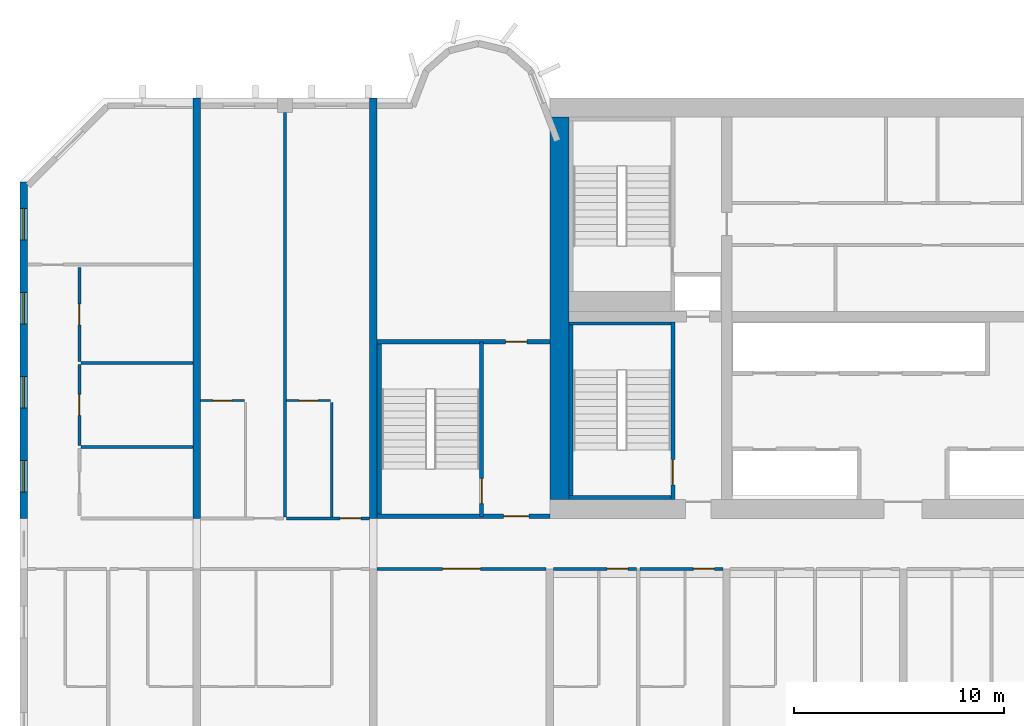
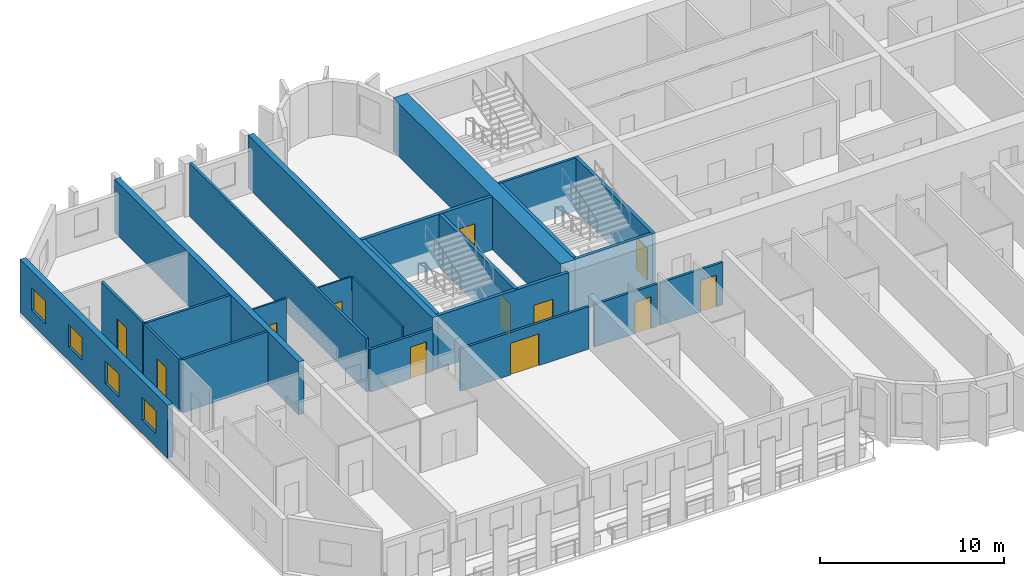
# One storey, part 4 of 15: 24 walls, 12 doors, 4 windows, 16 openings.
"""IFC4 building model written with IfcOpenShell, lengths in metres."""

from ifc_helpers import new_model, si_unit, direction, frame, frame_2d, origin, place, context, subcontext, project, spatial, rectangle, extrude, source, transform, mapped, material, layer, layer_set, type_object, element, fill, save


model = new_model("IFC4")

# Units and contexts
model_context = context("Model", 3, precision=1e-05, world=origin(), true_north=direction((0.0, 1.0)))
body_context = subcontext(model_context, "Body", "Model", "MODEL_VIEW")
ifc_project = project(units=[si_unit("LENGTHUNIT", "METRE"), si_unit("AREAUNIT", "SQUARE_METRE"), si_unit("VOLUMEUNIT", "CUBIC_METRE"), si_unit("PLANEANGLEUNIT", "RADIAN"), si_unit("MASSUNIT", "GRAM", prefix="KILO")], contexts=[model_context])

# Site, building, storey
site_placement = place(None, origin())
site = spatial("IfcSite", under=ifc_project, at=site_placement, CompositionType="ELEMENT")
building_placement = place(site_placement, origin())
building = spatial("IfcBuilding", under=site, at=building_placement, Name="Vanashikhar Sky Hotel", CompositionType="ELEMENT")
storey_placement = place(building_placement, frame((0.0, 0.0, 91.39990234375)))
storey = spatial("IfcBuildingStorey", under=building, at=storey_placement, Name="L21", CompositionType="ELEMENT", Elevation=91.39990234375)

# Wall
ifc_material_1 = material(Name="Concrete M70", Category="concrete")
ifc_layer_1 = layer(ifc_material_1, 0.89990234375)
ifc_layer_set_1 = layer_set([ifc_layer_1], Name="RC core shell wall 900 Concrete M70")
wall_type_1 = type_object("IfcWallType", Name="RC core shell wall 900 Concrete M70", PredefinedType="SHEAR", material=ifc_layer_set_1)
shared_shape_1 = source(origin(), body_context, "Body", "SweptSolid", [
    extrude(rectangle(XDim=18.2001953125, YDim=0.89990234375, at=frame_2d((9.10009765625, 0.0))), origin(), (0.0, 0.0, 1.0), 3.52001953125),
])
wall_1_placement = place(storey_placement, frame((25.64990234375, 22.89990234375, 0.0), z_axis=(0.0, 0.0, 1.0), x_axis=(0.0, 1.0, 0.0)))
element("IfcWall", 1, at=wall_1_placement, inside=storey, type_object=wall_type_1, Name="KW-L21-KW", PredefinedType="SHEAR", context=body_context, shape_type="MappedRepresentation", body=[
    mapped(shared_shape_1, transform((0.0, 0.0, 0.0), scale=1.0)),
])

# Wall, openings, windows
ifc_layer_2 = layer(ifc_material_1, 0.35009765625)
ifc_layer_set_2 = layer_set([ifc_layer_2], Name="RC shear wall 350 Concrete M70")
wall_type_2 = type_object("IfcWallType", Name="RC shear wall 350 Concrete M70", PredefinedType="SHEAR", material=ifc_layer_set_2)
shared_shape_2 = source(origin(), body_context, "Body", "SweptSolid", [
    extrude(rectangle(XDim=16.0, YDim=0.35009765625, at=frame_2d((8.0, 0.0))), origin(), (0.0, 0.0, 1.0), 3.52001953125),
])
wall_2_placement = place(storey_placement, frame((0.175048828125, 22.0, 0.0), z_axis=(0.0, 0.0, 1.0), x_axis=(0.0, 1.0, 0.0)))
wall_2 = element("IfcWall", 2, at=wall_2_placement, inside=storey, type_object=wall_type_2, Name="CW-L21-XW01-2", PredefinedType="SHEAR", context=body_context, shape_type="MappedRepresentation", body=[
    mapped(shared_shape_2, transform((0.0, 0.0, 0.0), scale=1.0)),
])
shared_shape_3 = source(origin(), body_context, "Body", "SweptSolid", [
    extrude(rectangle(XDim=1.5, YDim=1.5, at=frame_2d((0.75, 0.75))), frame((0.0, 0.18505859375, 0.0), z_axis=(0.0, -1.0, 0.0), x_axis=(1.0, 0.0, 0.0)), (0.0, 0.0, 1.0), 0.3701171875),
])
opening_1_placement = place(wall_2_placement, frame((1.25, 0.0, 0.89990234375)))
opening_1 = element("IfcOpeningElement", 3, at=opening_1_placement, cuts=wall_2, Name="Opening WN-1", PredefinedType="OPENING", context=body_context, shape_type="MappedRepresentation", body=[
    mapped(shared_shape_3, transform((0.0, 0.0, 0.0), scale=1.0)),
])
opening_2_placement = place(wall_2_placement, frame((5.25, 0.0, 0.89990234375)))
opening_2 = element("IfcOpeningElement", 4, at=opening_2_placement, cuts=wall_2, Name="Opening WN-1", PredefinedType="OPENING", context=body_context, shape_type="MappedRepresentation", body=[
    mapped(shared_shape_3, transform((0.0, 0.0, 0.0), scale=1.0)),
])
opening_3_placement = place(wall_2_placement, frame((9.25, 0.0, 0.89990234375)))
opening_3 = element("IfcOpeningElement", 5, at=opening_3_placement, cuts=wall_2, Name="Opening WN-1", PredefinedType="OPENING", context=body_context, shape_type="MappedRepresentation", body=[
    mapped(shared_shape_3, transform((0.0, 0.0, 0.0), scale=1.0)),
])
opening_4_placement = place(wall_2_placement, frame((13.25, 0.0, 0.89990234375)))
opening_4 = element("IfcOpeningElement", 6, at=opening_4_placement, cuts=wall_2, Name="Opening WN-1", PredefinedType="OPENING", context=body_context, shape_type="MappedRepresentation", body=[
    mapped(shared_shape_3, transform((0.0, 0.0, 0.0), scale=1.0)),
])
ifc_material_2 = material(Name="Glass", Category="glass")
window_type = type_object("IfcWindowType", Name="Window 1500 x 1500", PartitioningType="SINGLE_PANEL", PredefinedType="WINDOW", material=ifc_material_2)
shared_shape_4 = source(origin(), body_context, "Body", "SweptSolid", [
    extrude(rectangle(XDim=1.5, YDim=1.5, at=frame_2d((0.75, 0.75))), frame((0.0, 0.030029296875, 0.0), z_axis=(0.0, -1.0, 0.0), x_axis=(1.0, 0.0, 0.0)), (0.0, 0.0, 1.0), 0.06005859375),
])
window_1_placement = place(opening_1_placement, origin())
window_1 = element("IfcWindow", 7, at=window_1_placement, inside=storey, type_object=window_type, Name="Window WN-1", OverallHeight=1.5, OverallWidth=1.5, PartitioningType="SINGLE_PANEL", PredefinedType="WINDOW", context=body_context, shape_type="MappedRepresentation", body=[
    mapped(shared_shape_4, transform((0.0, 0.0, 0.0), scale=1.0)),
])
fill(opening_1, window_1)
window_2_placement = place(opening_2_placement, origin())
window_2 = element("IfcWindow", 8, at=window_2_placement, inside=storey, type_object=window_type, Name="Window WN-1", OverallHeight=1.5, OverallWidth=1.5, PartitioningType="SINGLE_PANEL", PredefinedType="WINDOW", context=body_context, shape_type="MappedRepresentation", body=[
    mapped(shared_shape_4, transform((0.0, 0.0, 0.0), scale=1.0)),
])
fill(opening_2, window_2)
window_3_placement = place(opening_3_placement, origin())
window_3 = element("IfcWindow", 9, at=window_3_placement, inside=storey, type_object=window_type, Name="Window WN-1", OverallHeight=1.5, OverallWidth=1.5, PartitioningType="SINGLE_PANEL", PredefinedType="WINDOW", context=body_context, shape_type="MappedRepresentation", body=[
    mapped(shared_shape_4, transform((0.0, 0.0, 0.0), scale=1.0)),
])
fill(opening_3, window_3)
window_4_placement = place(opening_4_placement, origin())
window_4 = element("IfcWindow", 10, at=window_4_placement, inside=storey, type_object=window_type, Name="Window WN-1", OverallHeight=1.5, OverallWidth=1.5, PartitioningType="SINGLE_PANEL", PredefinedType="WINDOW", context=body_context, shape_type="MappedRepresentation", body=[
    mapped(shared_shape_4, transform((0.0, 0.0, 0.0), scale=1.0)),
])
fill(opening_4, window_4)

# Walls
shared_shape_5 = source(origin(), body_context, "Body", "SweptSolid", [
    extrude(rectangle(XDim=20.0, YDim=0.35009765625, at=frame_2d((10.0, 0.0))), origin(), (0.0, 0.0, 1.0), 3.52001953125),
])
for number, where, z_axis, x_axis, name in (
    (11, (8.39990234375, 22.0, 0.0), (0.0, 0.0, 1.0), (0.0, 1.0, 0.0), "CW-L21-XW02-2"),
    (12, (16.800048828125, 22.0, 0.0), (0.0, 0.0, 1.0), (0.0, 1.0, 0.0), "CW-L21-XW03-2"),
):
    element("IfcWall", number, at=place(storey_placement, frame(where, z_axis=z_axis, x_axis=x_axis)), inside=storey, type_object=wall_type_2, Name=name, PredefinedType="SHEAR", context=body_context, shape_type="MappedRepresentation", body=[
        mapped(shared_shape_5, transform((0.0, 0.0, 0.0), scale=1.0)),
    ])

# Wall, opening, door
ifc_material_3 = material(Name="Concrete M50", Category="concrete")
ifc_layer_3 = layer(ifc_material_3, 0.199951171875)
ifc_layer_set_3 = layer_set([ifc_layer_3], Name="Stair wall 200")
wall_type_3 = type_object("IfcWallType", Name="Stair wall 200", PredefinedType="SOLIDWALL", material=ifc_layer_set_3)
shared_shape_6 = source(origin(), body_context, "Body", "SweptSolid", [
    extrude(rectangle(XDim=8.2998046875, YDim=0.199951171875, at=frame_2d((4.14990234375, 0.0))), origin(), (0.0, 0.0, 1.0), 3.52001953125),
])
wall_3_placement = place(storey_placement, frame((21.949951171875, 22.10009765625, 0.0), z_axis=(0.0, 0.0, 1.0), x_axis=(0.0, 1.0, 0.0)))
wall_3 = element("IfcWall", 13, at=wall_3_placement, inside=storey, type_object=wall_type_3, Name="Stair wall 200", PredefinedType="SOLIDWALL", context=body_context, shape_type="MappedRepresentation", body=[
    mapped(shared_shape_6, transform((0.0, 0.0, 0.0), scale=1.0)),
])
shared_shape_7 = source(origin(), body_context, "Body", "SweptSolid", [
    extrude(rectangle(XDim=1.199951171875, YDim=2.10009765625, at=frame_2d((0.60009765625, 1.050048828125))), frame((0.0, 0.10986328125, 0.0), z_axis=(0.0, -1.0, 0.0), x_axis=(1.0, 0.0, 0.0)), (0.0, 0.0, 1.0), 0.219970703125),
])
opening_5_placement = place(wall_3_placement, frame((0.60009765625, 0.0, 0.0)))
opening_5 = element("IfcOpeningElement", 14, at=opening_5_placement, cuts=wall_3, Name="Opening DC-1", PredefinedType="OPENING", context=body_context, shape_type="MappedRepresentation", body=[
    mapped(shared_shape_7, transform((0.0, 0.0, 0.0), scale=1.0)),
])
ifc_material_4 = material(Name="Steel", Category="steel")
door_type_1 = type_object("IfcDoorType", Name="Stair door 1200 FD120", OperationType="NOTDEFINED", PredefinedType="DOOR", material=ifc_material_4)
shared_shape_8 = source(origin(), body_context, "Body", "SweptSolid", [
    extrude(rectangle(XDim=1.199951171875, YDim=2.10009765625, at=frame_2d((0.60009765625, 1.050048828125))), frame((0.0, 0.02490234375, 0.0), z_axis=(0.0, -1.0, 0.0), x_axis=(1.0, 0.0, 0.0)), (0.0, 0.0, 1.0), 0.050048828125),
])
door_1_placement = place(opening_5_placement, origin())
door_1 = element("IfcDoor", 15, at=door_1_placement, inside=storey, type_object=door_type_1, Name="Stair door 1200 FD120", OperationType="SINGLE_SWING_LEFT", OverallHeight=2.10009765625, OverallWidth=1.199951171875, PredefinedType="DOOR", context=body_context, shape_type="MappedRepresentation", body=[
    mapped(shared_shape_8, transform((0.0, 0.0, 0.0), scale=1.0)),
])
fill(opening_5, door_1)

shared_shape_9 = source(origin(), body_context, "Body", "SweptSolid", [
    extrude(rectangle(XDim=8.4501953125, YDim=0.199951171875, at=frame_2d((4.22509765625, 0.0))), origin(), (0.0, 0.0, 1.0), 3.52001953125),
])
wall_4_placement = place(storey_placement, frame((31.050048828125, 22.89990234375, 0.0), z_axis=(0.0, 0.0, 1.0), x_axis=(0.0, 1.0, 0.0)))
wall_4 = element("IfcWall", 16, at=wall_4_placement, inside=storey, type_object=wall_type_3, Name="Stair wall 200", PredefinedType="SOLIDWALL", context=body_context, shape_type="MappedRepresentation", body=[
    mapped(shared_shape_9, transform((0.0, 0.0, 0.0), scale=1.0)),
])
opening_6_placement = place(wall_4_placement, frame((0.699951171875, 0.0, 0.0)))
opening_6 = element("IfcOpeningElement", 17, at=opening_6_placement, cuts=wall_4, Name="Opening DC-1", PredefinedType="OPENING", context=body_context, shape_type="MappedRepresentation", body=[
    mapped(shared_shape_7, transform((0.0, 0.0, 0.0), scale=1.0)),
])
door_2_placement = place(opening_6_placement, origin())
door_2 = element("IfcDoor", 18, at=door_2_placement, inside=storey, type_object=door_type_1, Name="Stair door 1200 FD120", OperationType="SINGLE_SWING_RIGHT", OverallHeight=2.10009765625, OverallWidth=1.199951171875, PredefinedType="DOOR", context=body_context, shape_type="MappedRepresentation", body=[
    mapped(shared_shape_8, transform((0.0, 0.0, 0.0), scale=1.0)),
])
fill(opening_6, door_2)

shared_shape_10 = source(origin(), body_context, "Body", "SweptSolid", [
    extrude(rectangle(XDim=8.224853515625, YDim=0.199951171875, at=frame_2d((4.1123046875, 0.0))), origin(), (0.0, 0.0, 1.0), 3.52001953125),
])
wall_5_placement = place(storey_placement, frame((16.97509765625, 22.10009765625, 0.0), z_axis=(0.0, 0.0, 1.0), x_axis=(1.0, 0.0, 0.0)))
wall_5 = element("IfcWall", 19, at=wall_5_placement, inside=storey, type_object=wall_type_3, Name="Stair wall 200", PredefinedType="SOLIDWALL", context=body_context, shape_type="MappedRepresentation", body=[
    mapped(shared_shape_10, transform((0.0, 0.0, 0.0), scale=1.0)),
])
opening_7_placement = place(wall_5_placement, frame((6.02490234375, 0.0, 0.0)))
opening_7 = element("IfcOpeningElement", 20, at=opening_7_placement, cuts=wall_5, Name="Opening DC-2", PredefinedType="OPENING", context=body_context, shape_type="MappedRepresentation", body=[
    mapped(shared_shape_7, transform((0.0, 0.0, 0.0), scale=1.0)),
])
door_type_2 = type_object("IfcDoorType", Name="Firefighting lobby door 1200 FD120", OperationType="NOTDEFINED", PredefinedType="DOOR", material=ifc_material_4)
door_3_placement = place(opening_7_placement, origin())
door_3 = element("IfcDoor", 21, at=door_3_placement, inside=storey, type_object=door_type_2, Name="Firefighting lobby door 1200 FD120", OperationType="SINGLE_SWING_RIGHT", OverallHeight=2.10009765625, OverallWidth=1.199951171875, PredefinedType="DOOR", context=body_context, shape_type="MappedRepresentation", body=[
    mapped(shared_shape_8, transform((0.0, 0.0, 0.0), scale=1.0)),
])
fill(opening_7, door_3)

wall_6_placement = place(storey_placement, frame((16.97509765625, 30.39990234375, 0.0), z_axis=(0.0, 0.0, 1.0), x_axis=(1.0, 0.0, 0.0)))
wall_6 = element("IfcWall", 22, at=wall_6_placement, inside=storey, type_object=wall_type_3, Name="Stair wall 200", PredefinedType="SOLIDWALL", context=body_context, shape_type="MappedRepresentation", body=[
    mapped(shared_shape_10, transform((0.0, 0.0, 0.0), scale=1.0)),
])
shared_shape_11 = source(origin(), body_context, "Body", "SweptSolid", [
    extrude(rectangle(XDim=1.0, YDim=2.10009765625, at=frame_2d((0.5, 1.050048828125))), frame((0.0, 0.10986328125, 0.0), z_axis=(0.0, -1.0, 0.0), x_axis=(1.0, 0.0, 0.0)), (0.0, 0.0, 1.0), 0.219970703125),
])
opening_8_placement = place(wall_6_placement, frame((6.125, 0.0, 0.0)))
opening_8 = element("IfcOpeningElement", 23, at=opening_8_placement, cuts=wall_6, Name="Opening DC-6", PredefinedType="OPENING", context=body_context, shape_type="MappedRepresentation", body=[
    mapped(shared_shape_11, transform((0.0, 0.0, 0.0), scale=1.0)),
])
door_type_3 = type_object("IfcDoorType", Name="Pocket door 1000 FD60", OperationType="NOTDEFINED", PredefinedType="DOOR", material=ifc_material_4)
shared_shape_12 = source(origin(), body_context, "Body", "SweptSolid", [
    extrude(rectangle(XDim=1.0, YDim=2.10009765625, at=frame_2d((0.5, 1.050048828125))), frame((0.0, 0.02490234375, 0.0), z_axis=(0.0, -1.0, 0.0), x_axis=(1.0, 0.0, 0.0)), (0.0, 0.0, 1.0), 0.050048828125),
])
door_4_placement = place(opening_8_placement, origin())
door_4 = element("IfcDoor", 24, at=door_4_placement, inside=storey, type_object=door_type_3, Name="Pocket door 1000 FD60", OperationType="SINGLE_SWING_RIGHT", OverallHeight=2.10009765625, OverallWidth=1.0, PredefinedType="DOOR", context=body_context, shape_type="MappedRepresentation", body=[
    mapped(shared_shape_12, transform((0.0, 0.0, 0.0), scale=1.0)),
])
fill(opening_8, door_4)

# Walls
ifc_layer_4 = layer(ifc_material_3, 0.199951171875)
ifc_layer_set_4 = layer_set([ifc_layer_4], Name="Stair infill wall 200")
wall_type_4 = type_object("IfcWallType", Name="Stair infill wall 200", PredefinedType="SOLIDWALL", material=ifc_layer_set_4)
shared_shape_13 = source(origin(), body_context, "Body", "SweptSolid", [
    extrude(rectangle(XDim=4.849853515625, YDim=0.199951171875, at=frame_2d((2.4248046875, 0.0))), origin(), (0.0, 0.0, 1.0), 3.52001953125),
])
wall_7_placement = place(storey_placement, frame((26.10009765625, 23.0, 0.0), z_axis=(0.0, 0.0, 1.0), x_axis=(1.0, 0.0, 0.0)))
element("IfcWall", 25, at=wall_7_placement, inside=storey, type_object=wall_type_4, Name="Stair infill wall 200", PredefinedType="SOLIDWALL", context=body_context, shape_type="MappedRepresentation", body=[
    mapped(shared_shape_13, transform((0.0, 0.0, 0.0), scale=1.0)),
])
ifc_layer_5 = layer(ifc_material_3, 0.14990234375)
ifc_layer_set_5 = layer_set([ifc_layer_5], Name="Stair infill wall 150")
wall_type_5 = type_object("IfcWallType", Name="Stair infill wall 150", PredefinedType="SOLIDWALL", material=ifc_layer_set_5)
shared_shape_14 = source(origin(), body_context, "Body", "SweptSolid", [
    extrude(rectangle(XDim=4.849853515625, YDim=0.14990234375, at=frame_2d((2.4248046875, 0.0))), origin(), (0.0, 0.0, 1.0), 3.52001953125),
])
wall_8_placement = place(storey_placement, frame((26.10009765625, 31.27490234375, 0.0), z_axis=(0.0, 0.0, 1.0), x_axis=(1.0, 0.0, 0.0)))
element("IfcWall", 26, at=wall_8_placement, inside=storey, type_object=wall_type_5, Name="Stair infill wall 150", PredefinedType="SOLIDWALL", context=body_context, shape_type="MappedRepresentation", body=[
    mapped(shared_shape_14, transform((0.0, 0.0, 0.0), scale=1.0)),
])
shared_shape_15 = source(origin(), body_context, "Body", "SweptSolid", [
    extrude(rectangle(XDim=8.099853515625, YDim=0.199951171875, at=frame_2d((4.0498046875, 0.0))), origin(), (0.0, 0.0, 1.0), 3.52001953125),
])
wall_9_placement = place(storey_placement, frame((26.199951171875, 23.10009765625, 0.0), z_axis=(0.0, 0.0, 1.0), x_axis=(0.0, 1.0, 0.0)))
element("IfcWall", 27, at=wall_9_placement, inside=storey, type_object=wall_type_4, Name="Stair infill wall 200", PredefinedType="SOLIDWALL", context=body_context, shape_type="MappedRepresentation", body=[
    mapped(shared_shape_15, transform((0.0, 0.0, 0.0), scale=1.0)),
])
ifc_layer_6 = layer(ifc_material_3, 0.22509765625)
ifc_layer_set_6 = layer_set([ifc_layer_6], Name="Stair infill wall 225")
wall_type_6 = type_object("IfcWallType", Name="Stair infill wall 225", PredefinedType="SOLIDWALL", material=ifc_layer_set_6)
shared_shape_16 = source(origin(), body_context, "Body", "SweptSolid", [
    extrude(rectangle(XDim=8.10009765625, YDim=0.22509765625, at=frame_2d((4.050048828125, 0.0))), origin(), (0.0, 0.0, 1.0), 3.52001953125),
])
wall_10_placement = place(storey_placement, frame((17.0869140625, 22.199951171875, 0.0), z_axis=(0.0, 0.0, 1.0), x_axis=(0.0, 1.0, 0.0)))
element("IfcWall", 28, at=wall_10_placement, inside=storey, type_object=wall_type_6, Name="Stair infill wall 225", PredefinedType="SOLIDWALL", context=body_context, shape_type="MappedRepresentation", body=[
    mapped(shared_shape_16, transform((0.0, 0.0, 0.0), scale=1.0)),
])

# Wall, opening, door
ifc_material_5 = material(Name="Gypsum plasterboard partition")
ifc_layer_7 = layer(ifc_material_5, 0.14990234375)
ifc_layer_set_7 = layer_set([ifc_layer_7], Name="Corridor and demising partition 150")
wall_type_7 = type_object("IfcWallType", Name="Corridor and demising partition 150", PredefinedType="PARTITIONING", material=ifc_layer_set_7)
shared_shape_17 = source(origin(), body_context, "Body", "SweptSolid", [
    extrude(rectangle(XDim=3.849853515625, YDim=0.14990234375, at=frame_2d((1.9248046875, 0.0))), origin(), (0.0, 0.0, 1.0), 3.52001953125),
])
wall_11_placement = place(storey_placement, frame((2.824951171875, 25.47509765625, 0.0), z_axis=(0.0, 0.0, 1.0), x_axis=(0.0, 1.0, 0.0)))
wall_11 = element("IfcWall", 29, at=wall_11_placement, inside=storey, type_object=wall_type_7, Name="W-L21-PW076", PredefinedType="PARTITIONING", context=body_context, shape_type="MappedRepresentation", body=[
    mapped(shared_shape_17, transform((0.0, 0.0, 0.0), scale=1.0)),
])
shared_shape_18 = source(origin(), body_context, "Body", "SweptSolid", [
    extrude(rectangle(XDim=1.0, YDim=2.10009765625, at=frame_2d((0.5, 1.050048828125))), frame((0.0, 0.0849609375, 0.0), z_axis=(0.0, -1.0, 0.0), x_axis=(1.0, 0.0, 0.0)), (0.0, 0.0, 1.0), 0.169921875),
])
opening_9_placement = place(wall_11_placement, frame((1.425048828125, 0.0, 0.0)))
opening_9 = element("IfcOpeningElement", 30, at=opening_9_placement, cuts=wall_11, Name="Opening D-01", PredefinedType="OPENING", context=body_context, shape_type="MappedRepresentation", body=[
    mapped(shared_shape_18, transform((0.0, 0.0, 0.0), scale=1.0)),
])
ifc_material_6 = material(Name="Timber fire door", Category="wood")
door_type_4 = type_object("IfcDoorType", Name="Guest entry door 1000 FD30S", OperationType="NOTDEFINED", PredefinedType="DOOR", material=ifc_material_6)
door_5_placement = place(opening_9_placement, origin())
door_5 = element("IfcDoor", 31, at=door_5_placement, inside=storey, type_object=door_type_4, Name="D-L21-043", OperationType="SINGLE_SWING_LEFT", OverallHeight=2.10009765625, OverallWidth=1.0, PredefinedType="DOOR", context=body_context, shape_type="MappedRepresentation", body=[
    mapped(shared_shape_12, transform((0.0, 0.0, 0.0), scale=1.0)),
])
fill(opening_9, door_5)

shared_shape_19 = source(origin(), body_context, "Body", "SweptSolid", [
    extrude(rectangle(XDim=4.449951171875, YDim=0.14990234375, at=frame_2d((2.22509765625, 0.0))), origin(), (0.0, 0.0, 1.0), 3.52001953125),
])
wall_12_placement = place(storey_placement, frame((2.824951171875, 29.47509765625, 0.0), z_axis=(0.0, 0.0, 1.0), x_axis=(0.0, 1.0, 0.0)))
wall_12 = element("IfcWall", 32, at=wall_12_placement, inside=storey, type_object=wall_type_7, Name="W-L21-PW078", PredefinedType="PARTITIONING", context=body_context, shape_type="MappedRepresentation", body=[
    mapped(shared_shape_19, transform((0.0, 0.0, 0.0), scale=1.0)),
])
opening_10_placement = place(wall_12_placement, frame((1.72509765625, 0.0, 0.0)))
opening_10 = element("IfcOpeningElement", 33, at=opening_10_placement, cuts=wall_12, Name="Opening D-01", PredefinedType="OPENING", context=body_context, shape_type="MappedRepresentation", body=[
    mapped(shared_shape_18, transform((0.0, 0.0, 0.0), scale=1.0)),
])
door_6_placement = place(opening_10_placement, origin())
door_6 = element("IfcDoor", 34, at=door_6_placement, inside=storey, type_object=door_type_4, Name="D-L21-044", OperationType="SINGLE_SWING_LEFT", OverallHeight=2.10009765625, OverallWidth=1.0, PredefinedType="DOOR", context=body_context, shape_type="MappedRepresentation", body=[
    mapped(shared_shape_12, transform((0.0, 0.0, 0.0), scale=1.0)),
])
fill(opening_10, door_6)

# Wall
ifc_layer_8 = layer(ifc_material_5, 0.10009765625)
ifc_layer_set_8 = layer_set([ifc_layer_8], Name="Wet room partition 100")
wall_type_8 = type_object("IfcWallType", Name="Wet room partition 100", PredefinedType="PARTITIONING", material=ifc_layer_set_8)
shared_shape_20 = source(origin(), body_context, "Body", "SweptSolid", [
    extrude(rectangle(XDim=5.449951171875, YDim=0.10009765625, at=frame_2d((2.72509765625, 0.0))), origin(), (0.0, 0.0, 1.0), 3.52001953125),
])
wall_13_placement = place(storey_placement, frame((14.824951171875, 22.074951171875, 0.0), z_axis=(0.0, 0.0, 1.0), x_axis=(0.0, 1.0, 0.0)))
element("IfcWall", 35, at=wall_13_placement, inside=storey, type_object=wall_type_8, Name="W-L21-PW083", PredefinedType="PARTITIONING", context=body_context, shape_type="MappedRepresentation", body=[
    mapped(shared_shape_20, transform((0.0, 0.0, 0.0), scale=1.0)),
])

# Wall, opening, door
shared_shape_21 = source(origin(), body_context, "Body", "SweptSolid", [
    extrude(rectangle(XDim=2.10009765625, YDim=0.10009765625, at=frame_2d((1.050048828125, 0.0))), origin(), (0.0, 0.0, 1.0), 3.52001953125),
])
wall_14_placement = place(storey_placement, frame((8.574951171875, 27.60009765625, 0.0), z_axis=(0.0, 0.0, 1.0), x_axis=(1.0, 0.0, 0.0)))
wall_14 = element("IfcWall", 36, at=wall_14_placement, inside=storey, type_object=wall_type_8, Name="W-L21-PW081", PredefinedType="PARTITIONING", context=body_context, shape_type="MappedRepresentation", body=[
    mapped(shared_shape_21, transform((0.0, 0.0, 0.0), scale=1.0)),
])
shared_shape_22 = source(origin(), body_context, "Body", "SweptSolid", [
    extrude(rectangle(XDim=0.89990234375, YDim=2.10009765625, at=frame_2d((0.449951171875, 1.050048828125))), frame((0.0, 0.06005859375, 0.0), z_axis=(0.0, -1.0, 0.0), x_axis=(1.0, 0.0, 0.0)), (0.0, 0.0, 1.0), 0.1201171875),
])
opening_11_placement = place(wall_14_placement, frame((0.60009765625, 0.0, 0.0)))
opening_11 = element("IfcOpeningElement", 37, at=opening_11_placement, cuts=wall_14, Name="Opening D-02", PredefinedType="OPENING", context=body_context, shape_type="MappedRepresentation", body=[
    mapped(shared_shape_22, transform((0.0, 0.0, 0.0), scale=1.0)),
])
ifc_material_7 = material(Name="Timber door", Category="wood")
door_type_5 = type_object("IfcDoorType", Name="Internal door 900", OperationType="NOTDEFINED", PredefinedType="DOOR", material=ifc_material_7)
shared_shape_23 = source(origin(), body_context, "Body", "SweptSolid", [
    extrude(rectangle(XDim=0.89990234375, YDim=2.10009765625, at=frame_2d((0.449951171875, 1.050048828125))), frame((0.0, 0.02490234375, 0.0), z_axis=(0.0, -1.0, 0.0), x_axis=(1.0, 0.0, 0.0)), (0.0, 0.0, 1.0), 0.050048828125),
])
door_7_placement = place(opening_11_placement, origin())
door_7 = element("IfcDoor", 38, at=door_7_placement, inside=storey, type_object=door_type_5, Name="D-L21-046", OperationType="SINGLE_SWING_RIGHT", OverallHeight=2.10009765625, OverallWidth=0.89990234375, PredefinedType="DOOR", context=body_context, shape_type="MappedRepresentation", body=[
    mapped(shared_shape_23, transform((0.0, 0.0, 0.0), scale=1.0)),
])
fill(opening_11, door_7)

shared_shape_24 = source(origin(), body_context, "Body", "SweptSolid", [
    extrude(rectangle(XDim=8.0498046875, YDim=0.14990234375, at=frame_2d((4.02490234375, 0.0))), origin(), (0.0, 0.0, 1.0), 2.820068359375),
])
wall_15_placement = place(storey_placement, frame((16.97509765625, 19.60009765625, 0.0), z_axis=(0.0, 0.0, 1.0), x_axis=(1.0, 0.0, 0.0)))
wall_15 = element("IfcWall", 39, at=wall_15_placement, inside=storey, type_object=wall_type_7, Name="W-L21-PW013", PredefinedType="PARTITIONING", context=body_context, shape_type="MappedRepresentation", body=[
    mapped(shared_shape_24, transform((0.0, 0.0, 0.0), scale=1.0)),
])
shared_shape_25 = source(origin(), body_context, "Body", "SweptSolid", [
    extrude(rectangle(XDim=1.800048828125, YDim=2.10009765625, at=frame_2d((0.89990234375, 1.050048828125))), frame((0.0, 0.0849609375, 0.0), z_axis=(0.0, -1.0, 0.0), x_axis=(1.0, 0.0, 0.0)), (0.0, 0.0, 1.0), 0.169921875),
])
opening_12_placement = place(wall_15_placement, frame((3.125, 0.0, 0.0)))
opening_12 = element("IfcOpeningElement", 40, at=opening_12_placement, cuts=wall_15, Name="Opening D-03", PredefinedType="OPENING", context=body_context, shape_type="MappedRepresentation", body=[
    mapped(shared_shape_25, transform((0.0, 0.0, 0.0), scale=1.0)),
])
door_type_6 = type_object("IfcDoorType", Name="Double leaf door 1800 FD30S", OperationType="NOTDEFINED", PredefinedType="DOOR", material=ifc_material_6)
shared_shape_26 = source(origin(), body_context, "Body", "SweptSolid", [
    extrude(rectangle(XDim=1.800048828125, YDim=2.10009765625, at=frame_2d((0.89990234375, 1.050048828125))), frame((0.0, 0.02490234375, 0.0), z_axis=(0.0, -1.0, 0.0), x_axis=(1.0, 0.0, 0.0)), (0.0, 0.0, 1.0), 0.050048828125),
])
door_8_placement = place(opening_12_placement, origin())
door_8 = element("IfcDoor", 41, at=door_8_placement, inside=storey, type_object=door_type_6, Name="D-L21-008", OperationType="DOUBLE_DOOR_SINGLE_SWING", OverallHeight=2.10009765625, OverallWidth=1.800048828125, PredefinedType="DOOR", context=body_context, shape_type="MappedRepresentation", body=[
    mapped(shared_shape_26, transform((0.0, 0.0, 0.0), scale=1.0)),
])
fill(opening_12, door_8)

shared_shape_27 = source(origin(), body_context, "Body", "SweptSolid", [
    extrude(rectangle(XDim=3.949951171875, YDim=0.14990234375, at=frame_2d((1.97509765625, 0.0))), origin(), (0.0, 0.0, 1.0), 2.820068359375),
])
wall_16_placement = place(storey_placement, frame((25.375, 19.60009765625, 0.0), z_axis=(0.0, 0.0, 1.0), x_axis=(1.0, 0.0, 0.0)))
wall_16 = element("IfcWall", 42, at=wall_16_placement, inside=storey, type_object=wall_type_7, Name="W-L21-PW016", PredefinedType="PARTITIONING", context=body_context, shape_type="MappedRepresentation", body=[
    mapped(shared_shape_27, transform((0.0, 0.0, 0.0), scale=1.0)),
])
opening_13_placement = place(wall_16_placement, frame((2.550048828125, 0.0, 0.0)))
opening_13 = element("IfcOpeningElement", 43, at=opening_13_placement, cuts=wall_16, Name="Opening D-01", PredefinedType="OPENING", context=body_context, shape_type="MappedRepresentation", body=[
    mapped(shared_shape_18, transform((0.0, 0.0, 0.0), scale=1.0)),
])
door_9_placement = place(opening_13_placement, origin())
door_9 = element("IfcDoor", 44, at=door_9_placement, inside=storey, type_object=door_type_4, Name="D-L21-010", OperationType="SINGLE_SWING_RIGHT", OverallHeight=2.10009765625, OverallWidth=1.0, PredefinedType="DOOR", context=body_context, shape_type="MappedRepresentation", body=[
    mapped(shared_shape_12, transform((0.0, 0.0, 0.0), scale=1.0)),
])
fill(opening_13, door_9)

wall_17_placement = place(storey_placement, frame((29.47509765625, 19.60009765625, 0.0), z_axis=(0.0, 0.0, 1.0), x_axis=(1.0, 0.0, 0.0)))
wall_17 = element("IfcWall", 45, at=wall_17_placement, inside=storey, type_object=wall_type_7, Name="W-L21-PW019", PredefinedType="PARTITIONING", context=body_context, shape_type="MappedRepresentation", body=[
    mapped(shared_shape_27, transform((0.0, 0.0, 0.0), scale=1.0)),
])
opening_14_placement = place(wall_17_placement, frame((2.550048828125, 0.0, 0.0)))
opening_14 = element("IfcOpeningElement", 46, at=opening_14_placement, cuts=wall_17, Name="Opening D-01", PredefinedType="OPENING", context=body_context, shape_type="MappedRepresentation", body=[
    mapped(shared_shape_18, transform((0.0, 0.0, 0.0), scale=1.0)),
])
door_10_placement = place(opening_14_placement, origin())
door_10 = element("IfcDoor", 47, at=door_10_placement, inside=storey, type_object=door_type_4, Name="D-L21-012", OperationType="SINGLE_SWING_RIGHT", OverallHeight=2.10009765625, OverallWidth=1.0, PredefinedType="DOOR", context=body_context, shape_type="MappedRepresentation", body=[
    mapped(shared_shape_12, transform((0.0, 0.0, 0.0), scale=1.0)),
])
fill(opening_14, door_10)

wall_18_placement = place(storey_placement, frame((12.675048828125, 22.0, 0.0), z_axis=(0.0, 0.0, 1.0), x_axis=(1.0, 0.0, 0.0)))
wall_18 = element("IfcWall", 48, at=wall_18_placement, inside=storey, type_object=wall_type_7, Name="W-L21-PW085", PredefinedType="PARTITIONING", context=body_context, shape_type="MappedRepresentation", body=[
    mapped(shared_shape_27, transform((0.0, 0.0, 0.0), scale=1.0)),
])
opening_15_placement = place(wall_18_placement, frame((2.550048828125, 0.0, 0.0)))
opening_15 = element("IfcOpeningElement", 49, at=opening_15_placement, cuts=wall_18, Name="Opening D-01", PredefinedType="OPENING", context=body_context, shape_type="MappedRepresentation", body=[
    mapped(shared_shape_18, transform((0.0, 0.0, 0.0), scale=1.0)),
])
door_11_placement = place(opening_15_placement, origin())
door_11 = element("IfcDoor", 50, at=door_11_placement, inside=storey, type_object=door_type_4, Name="D-L21-049", OperationType="SINGLE_SWING_RIGHT", OverallHeight=2.10009765625, OverallWidth=1.0, PredefinedType="DOOR", context=body_context, shape_type="MappedRepresentation", body=[
    mapped(shared_shape_12, transform((0.0, 0.0, 0.0), scale=1.0)),
])
fill(opening_15, door_11)

shared_shape_28 = source(origin(), body_context, "Body", "SweptSolid", [
    extrude(rectangle(XDim=2.099853515625, YDim=0.10009765625, at=frame_2d((1.0498046875, 0.0))), origin(), (0.0, 0.0, 1.0), 3.52001953125),
])
wall_19_placement = place(storey_placement, frame((12.675048828125, 27.60009765625, 0.0), z_axis=(0.0, 0.0, 1.0), x_axis=(1.0, 0.0, 0.0)))
wall_19 = element("IfcWall", 51, at=wall_19_placement, inside=storey, type_object=wall_type_8, Name="W-L21-PW084", PredefinedType="PARTITIONING", context=body_context, shape_type="MappedRepresentation", body=[
    mapped(shared_shape_28, transform((0.0, 0.0, 0.0), scale=1.0)),
])
opening_16_placement = place(wall_19_placement, frame((0.60009765625, 0.0, 0.0)))
opening_16 = element("IfcOpeningElement", 52, at=opening_16_placement, cuts=wall_19, Name="Opening D-02", PredefinedType="OPENING", context=body_context, shape_type="MappedRepresentation", body=[
    mapped(shared_shape_22, transform((0.0, 0.0, 0.0), scale=1.0)),
])
door_12_placement = place(opening_16_placement, origin())
door_12 = element("IfcDoor", 53, at=door_12_placement, inside=storey, type_object=door_type_5, Name="D-L21-048", OperationType="SINGLE_SWING_RIGHT", OverallHeight=2.10009765625, OverallWidth=0.89990234375, PredefinedType="DOOR", context=body_context, shape_type="MappedRepresentation", body=[
    mapped(shared_shape_23, transform((0.0, 0.0, 0.0), scale=1.0)),
])
fill(opening_16, door_12)

# Walls
shared_shape_29 = source(origin(), body_context, "Body", "SweptSolid", [
    extrude(rectangle(XDim=5.3251953125, YDim=0.14990234375, at=frame_2d((2.66259765625, 0.0))), origin(), (0.0, 0.0, 1.0), 3.52001953125),
])
for number, where, z_axis, x_axis, name in (
    (54, (2.89990234375, 25.39990234375, 0.0), (0.0, 0.0, 1.0), (1.0, 0.0, 0.0), "W-L21-PW075"),
    (55, (2.89990234375, 29.39990234375, 0.0), (0.0, 0.0, 1.0), (1.0, 0.0, 0.0), "W-L21-PW077"),
):
    element("IfcWall", number, at=place(storey_placement, frame(where, z_axis=z_axis, x_axis=x_axis)), inside=storey, type_object=wall_type_7, Name=name, PredefinedType="PARTITIONING", context=body_context, shape_type="MappedRepresentation", body=[
        mapped(shared_shape_29, transform((0.0, 0.0, 0.0), scale=1.0)),
    ])
shared_shape_30 = source(origin(), body_context, "Body", "SweptSolid", [
    extrude(rectangle(XDim=19.22509765625, YDim=0.14990234375, at=frame_2d((9.612548828125, 0.0))), origin(), (0.0, 0.0, 1.0), 3.52001953125),
])
wall_20_placement = place(storey_placement, frame((12.60009765625, 22.074951171875, 0.0), z_axis=(0.0, 0.0, 1.0), x_axis=(0.0, 1.0, 0.0)))
element("IfcWall", 56, at=wall_20_placement, inside=storey, type_object=wall_type_7, Name="W-L21-PW086", PredefinedType="PARTITIONING", context=body_context, shape_type="MappedRepresentation", body=[
    mapped(shared_shape_30, transform((0.0, 0.0, 0.0), scale=1.0)),
])

save(model, "model.ifc")
